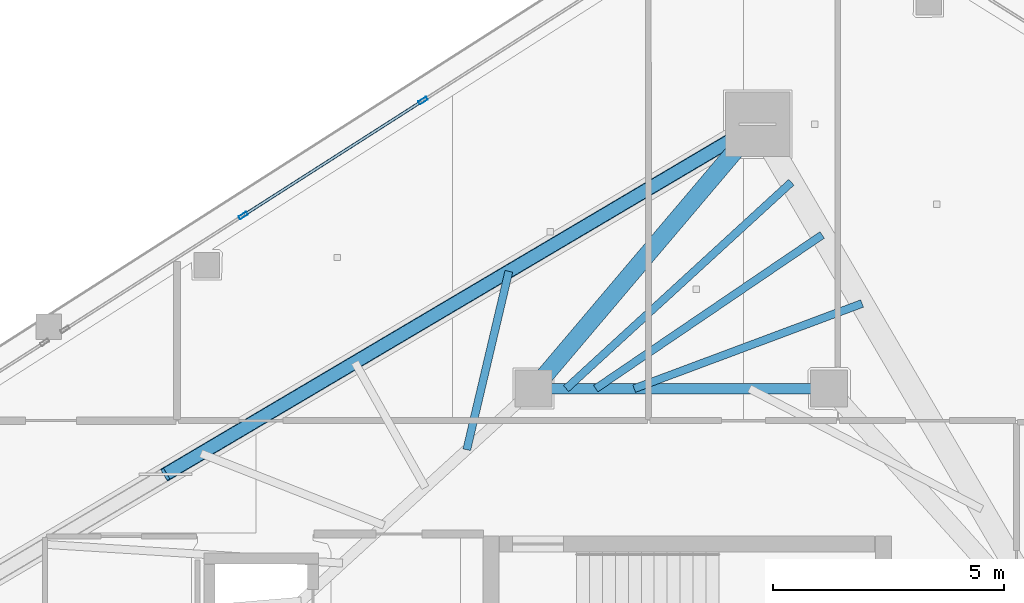
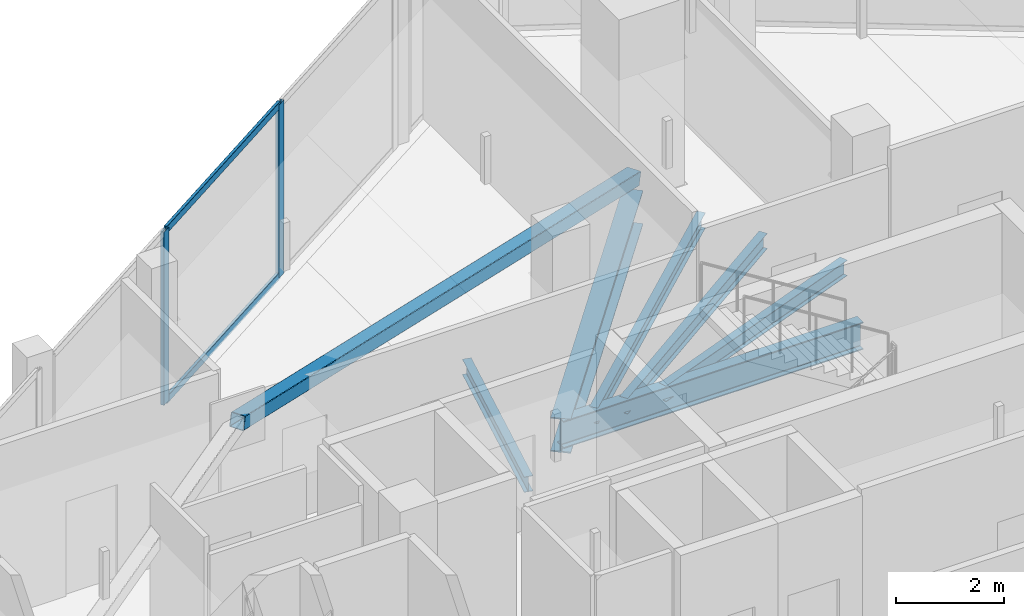
# One storey, part 16 of 30: 6 beams, 5 members, 1 element without a shape of its own.
"""IFC4 building model written with IfcOpenShell, lengths in metres."""

from ifc_helpers import new_model, si_unit, direction, frame, origin, origin_2d, place, context, subcontext, project, spatial, hollow_rectangle, i_section, extrude, material, layer, layer_set, material_profile, profile_set, type_object, element, aggregate, save


model = new_model("IFC4")

# Units and contexts
model_context = context("Model", 3, precision=1e-05, world=origin(), true_north=direction((0.0, 1.0)))
body_context = subcontext(model_context, "Body", "Model", "MODEL_VIEW")
ifc_project = project(units=[si_unit("LENGTHUNIT", "METRE"), si_unit("AREAUNIT", "SQUARE_METRE"), si_unit("VOLUMEUNIT", "CUBIC_METRE"), si_unit("PLANEANGLEUNIT", "RADIAN"), si_unit("MASSUNIT", "GRAM", prefix="KILO")], contexts=[model_context])

# Site, building, storey
site_placement = place(None, origin())
site = spatial("IfcSite", under=ifc_project, at=site_placement, CompositionType="ELEMENT")
building_placement = place(site_placement, origin())
building = spatial("IfcBuilding", under=site, at=building_placement, Name="Qorvath Tower", CompositionType="ELEMENT")
storey_placement = place(building_placement, frame((0.0, 0.0, 301.800048828125)))
storey = spatial("IfcBuildingStorey", under=building, at=storey_placement, Name="L70", CompositionType="ELEMENT", Elevation=301.800048828125)

# Beams
ifc_material_1 = material(Name="Steel ASTM A992 Grade 50", Category="steel")
ifc_material_profile_1 = material_profile(ifc_material_1, i_section(OverallWidth=0.381103515625, OverallDepth=0.77294921875, WebThickness=0.0166015625, FlangeThickness=0.027099609375, FilletRadius=0.01904296875, at=origin_2d()), Name="W30x173")
ifc_profile_set_1 = profile_set([ifc_material_profile_1], Name="Steel ASTM A992 Grade 50")
beam_type_1 = type_object("IfcBeamType", Name="BM-FG3", PredefinedType="BEAM", material=ifc_profile_set_1)
beam_1_placement = place(storey_placement, frame((-23.60009765625, 11.449951171875, -0.676513671875), z_axis=(0.646321389876, 0.763065305848, 0.0), x_axis=(-0.763065305848, 0.646321389876, 0.0)))
element("IfcBeam", 1, at=beam_1_placement, inside=storey, type_object=beam_type_1, Name="Radial Floor Girder CC1-MC6 L70", PredefinedType="BEAM", context=body_context, shape_type="SweptSolid", body=[
    extrude(i_section(OverallWidth=0.381103515625, OverallDepth=0.77294921875, WebThickness=0.0166015625, FlangeThickness=0.027099609375, FilletRadius=0.01904296875, at=origin_2d()), origin(), (0.0, 0.0, 1.0), 7.50341796875),
])
ifc_material_2 = material(Name="Steel ASTM A992 Grade 50", Category="steel")
ifc_material_profile_2 = material_profile(ifc_material_2, i_section(OverallWidth=0.22998046875, OverallDepth=0.616943359375, WebThickness=0.01318359375, FlangeThickness=0.022216796875, FilletRadius=0.014892578125, at=origin_2d()), Name="W24x94")
ifc_profile_set_2 = profile_set([ifc_material_profile_2], Name="Steel ASTM A992 Grade 50")
beam_type_2 = type_object("IfcBeamType", Name="BM-FG6", PredefinedType="BEAM", material=ifc_profile_set_2)
beam_2_placement = place(storey_placement, frame((-23.60009765625, 11.449951171875, -0.5986328125), z_axis=(1.0, 0.0, 0.0), x_axis=(0.0, 1.0, 0.0)))
element("IfcBeam", 2, at=beam_2_placement, inside=storey, type_object=beam_type_2, Name="Core Ring Girder CC1-CC2 L70", PredefinedType="BEAM", context=body_context, shape_type="SweptSolid", body=[
    extrude(i_section(OverallWidth=0.22998046875, OverallDepth=0.616943359375, WebThickness=0.01318359375, FlangeThickness=0.022216796875, FilletRadius=0.014892578125, at=origin_2d()), origin(), (0.0, 0.0, 1.0), 6.400146484375),
])
ifc_material_3 = material(Name="Steel ASTM A992 Grade 50", Category="steel")
ifc_material_profile_3 = material_profile(ifc_material_3, i_section(OverallWidth=0.1708984375, OverallDepth=0.35107421875, WebThickness=0.0068359375, FlangeThickness=0.009765625, FilletRadius=0.010009765625, at=origin_2d()), Name="W14x30")
ifc_profile_set_3 = profile_set([ifc_material_profile_3], Name="Steel ASTM A992 Grade 50")
beam_type_3 = type_object("IfcBeamType", Name="BM-FJ4", PredefinedType="JOIST", material=ifc_profile_set_3)
beam_3_placement = place(storey_placement, frame((-21.424072265625, 11.449951171875, -0.465576171875), z_axis=(0.936775909139, 0.349929844478, 0.0), x_axis=(-0.349929844478, 0.936775909139, 0.0)))
element("IfcBeam", 3, at=beam_3_placement, inside=storey, type_object=beam_type_3, Name="Composite Floor Joist NE5 L70", PredefinedType="JOIST", context=body_context, shape_type="SweptSolid", body=[
    extrude(i_section(OverallWidth=0.1708984375, OverallDepth=0.35107421875, WebThickness=0.0068359375, FlangeThickness=0.009765625, FilletRadius=0.010009765625, at=origin_2d()), origin(), (0.0, 0.0, 1.0), 5.268798828125),
])
beam_4_placement = place(storey_placement, frame((-22.256103515625, 11.449951171875, -0.465576171875), z_axis=(0.827400561462, 0.56161224247, 0.0), x_axis=(-0.56161224247, 0.827400561462, 0.0)))
element("IfcBeam", 4, at=beam_4_placement, inside=storey, type_object=beam_type_3, Name="Composite Floor Joist NE6 L70", PredefinedType="JOIST", context=body_context, shape_type="SweptSolid", body=[
    extrude(i_section(OverallWidth=0.1708984375, OverallDepth=0.35107421875, WebThickness=0.0068359375, FlangeThickness=0.009765625, FilletRadius=0.010009765625, at=origin_2d()), origin(), (0.0, 0.0, 1.0), 5.925537109375),
])
beam_5_placement = place(storey_placement, frame((-22.89599609375, 11.449951171875, -0.465576171875), z_axis=(0.737232260457, 0.675639396528, 0.0), x_axis=(-0.675639396528, 0.737232260457, 0.0)))
element("IfcBeam", 5, at=beam_5_placement, inside=storey, type_object=beam_type_3, Name="Composite Floor Joist NE7 L70", PredefinedType="JOIST", context=body_context, shape_type="SweptSolid", body=[
    extrude(i_section(OverallWidth=0.1708984375, OverallDepth=0.35107421875, WebThickness=0.0068359375, FlangeThickness=0.009765625, FilletRadius=0.010009765625, at=origin_2d()), origin(), (0.0, 0.0, 1.0), 6.615478515625),
])
beam_6_placement = place(storey_placement, frame((-25.049072265625, 10.126953125, -0.465576171875), z_axis=(0.22966321917, 0.973270160726, 0.0), x_axis=(-0.973270160726, 0.22966321917, 0.0)))
element("IfcBeam", 6, at=beam_6_placement, inside=storey, type_object=beam_type_3, Name="Composite Floor Joist NW6 L70", PredefinedType="JOIST", context=body_context, shape_type="SweptSolid", body=[
    extrude(i_section(OverallWidth=0.1708984375, OverallDepth=0.35107421875, WebThickness=0.0068359375, FlangeThickness=0.009765625, FilletRadius=0.010009765625, at=origin_2d()), origin(), (0.0, 0.0, 1.0), 3.969482421875),
])

# Curtain wall, members
ifc_material_4 = material(Name="Anodised aluminium and triple low-E glass", Category="aluminium")
ifc_layer = layer(ifc_material_4, 0.179931640625)
ifc_layer_set = layer_set([ifc_layer], Name="CW-SYS-4")
curtain_wall_type = type_object("IfcCurtainWallType", Name="CW-SYS-4", PredefinedType="NOTDEFINED", material=ifc_layer_set)
curtain_wall_placement = place(storey_placement, origin())
curtain_wall = element("IfcCurtainWall", 7, at=curtain_wall_placement, inside=storey, type_object=curtain_wall_type, Name="Curtain Wall CW-4 CW-T-L70-16.2", PredefinedType="NOTDEFINED")
ifc_material_5 = material(Name="Anodised aluminium 6063-T6", Category="aluminium")
ifc_material_profile_4 = material_profile(ifc_material_5, hollow_rectangle(XDim=0.074951171875, YDim=0.199951171875, WallThickness=0.00390625, InnerFilletRadius=0.00390625, OuterFilletRadius=0.008056640625, at=origin_2d()), Name="CWM 200x75")
ifc_profile_set_4 = profile_set([ifc_material_profile_4], Name="Anodised aluminium 6063-T6")
member_type_1 = type_object("IfcMemberType", Name="CWM-200", PredefinedType="MULLION", material=ifc_profile_set_4)
member_1_placement = place(storey_placement, frame((-25.998779296875, 17.686767578125, 0.0), z_axis=(0.0, 0.0, 1.0), x_axis=(0.538534157957, -0.842603679504, 0.0)))
member_1 = element("IfcMember", 8, at=member_1_placement, type_object=member_type_1, Name="CW-4 mullion 2", PredefinedType="MULLION", context=body_context, shape_type="SweptSolid", body=[
    extrude(hollow_rectangle(XDim=0.074951171875, YDim=0.199951171875, WallThickness=0.00390625, InnerFilletRadius=0.00390625, OuterFilletRadius=0.008056640625, at=origin_2d()), origin(), (0.0, 0.0, 1.0), 3.909912109375),
])
member_2_placement = place(storey_placement, frame((-29.891357421875, 15.198974609375, 0.0), z_axis=(0.0, 0.0, 1.0), x_axis=(0.538534157957, -0.842603679504, 0.0)))
member_2 = element("IfcMember", 9, at=member_2_placement, type_object=member_type_1, Name="CW-4 mullion 3", PredefinedType="MULLION", context=body_context, shape_type="SweptSolid", body=[
    extrude(hollow_rectangle(XDim=0.074951171875, YDim=0.199951171875, WallThickness=0.00390625, InnerFilletRadius=0.00390625, OuterFilletRadius=0.008056640625, at=origin_2d()), origin(), (0.0, 0.0, 1.0), 3.909912109375),
])
ifc_material_6 = material(Name="Anodised aluminium 6063-T6", Category="aluminium")
ifc_material_profile_5 = material_profile(ifc_material_6, hollow_rectangle(XDim=0.06494140625, YDim=0.159912109375, WallThickness=0.00341796875, InnerFilletRadius=0.00341796875, OuterFilletRadius=0.007080078125, at=origin_2d()), Name="CWT 160x65")
ifc_profile_set_5 = profile_set([ifc_material_profile_5], Name="Anodised aluminium 6063-T6")
member_type_2 = type_object("IfcMemberType", Name="CWT-160", PredefinedType="USERDEFINED", material=ifc_profile_set_5)
member_3_placement = place(storey_placement, frame((-26.0302734375, 17.666748046875, 0.032470703125), z_axis=(-0.842589282103, -0.538556683818, 0.0), x_axis=(0.538556683818, -0.842589282103, 0.0)))
member_3 = element("IfcMember", 10, at=member_3_placement, type_object=member_type_2, Name="CW-4 transom 2.1", ObjectType="TRANSOM", PredefinedType="USERDEFINED", context=body_context, shape_type="SweptSolid", body=[
    extrude(hollow_rectangle(XDim=0.06494140625, YDim=0.159912109375, WallThickness=0.00341796875, InnerFilletRadius=0.00341796875, OuterFilletRadius=0.007080078125, at=origin_2d()), origin(), (0.0, 0.0, 1.0), 4.544921875),
])
member_4_placement = place(storey_placement, frame((-26.0302734375, 17.666748046875, 3.87744140625), z_axis=(-0.842589282103, -0.538556683818, 0.0), x_axis=(0.538556683818, -0.842589282103, 0.0)))
member_4 = element("IfcMember", 11, at=member_4_placement, type_object=member_type_2, Name="CW-4 transom 2.2", ObjectType="TRANSOM", PredefinedType="USERDEFINED", context=body_context, shape_type="SweptSolid", body=[
    extrude(hollow_rectangle(XDim=0.06494140625, YDim=0.159912109375, WallThickness=0.00341796875, InnerFilletRadius=0.00341796875, OuterFilletRadius=0.007080078125, at=origin_2d()), origin(), (0.0, 0.0, 1.0), 4.544921875),
])
aggregate(curtain_wall, [member_1, member_2, member_3, member_4])

# Member
ifc_material_7 = material(Name="Steel ASTM A500 Grade C", Category="steel")
ifc_material_profile_6 = material_profile(ifc_material_7, hollow_rectangle(XDim=0.3046875, YDim=0.3046875, WallThickness=0.0126953125, InnerFilletRadius=0.0126953125, OuterFilletRadius=0.025390625, at=origin_2d()), Name="HSS 305x305x12.7")
ifc_profile_set_6 = profile_set([ifc_material_profile_6], Name="Steel ASTM A500 Grade C")
member_type_3 = type_object("IfcMemberType", Name="MEM-MB3", PredefinedType="BRACE", material=ifc_profile_set_6)
member_5_placement = place(storey_placement, frame((-18.75048828125, 17.175537109375, 0.0), z_axis=(-0.837219052796, -0.495039071419, 0.232380238843), x_axis=(0.508972175844, -0.860782971612, 0.0)))
element("IfcMember", 12, at=member_5_placement, inside=storey, type_object=member_type_3, Name="Perimeter Chevron Brace L70-1A", PredefinedType="BRACE", context=body_context, shape_type="SweptSolid", body=[
    extrude(hollow_rectangle(XDim=0.3046875, YDim=0.3046875, WallThickness=0.0126953125, InnerFilletRadius=0.0126953125, OuterFilletRadius=0.025390625, at=origin_2d()), origin(), (0.0, 0.0, 1.0), 15.320068359375),
])

save(model, "model.ifc")
